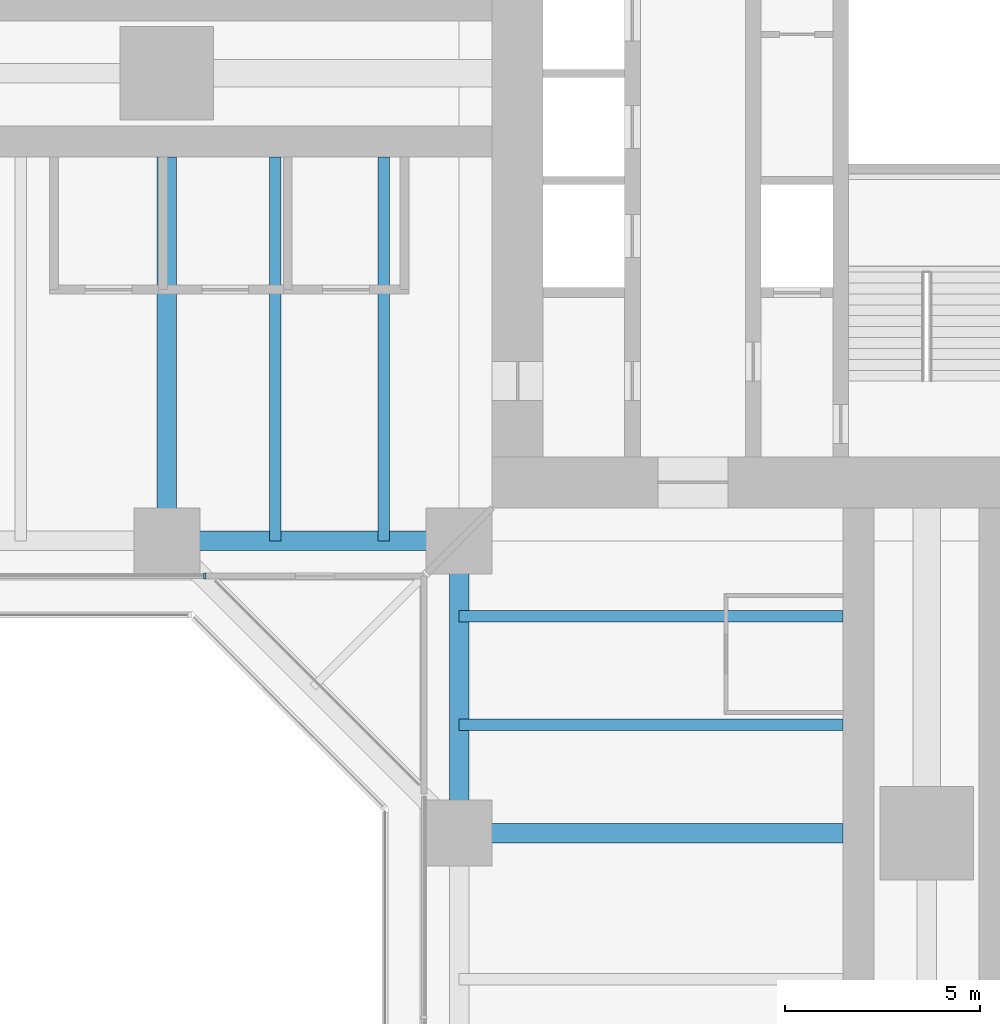
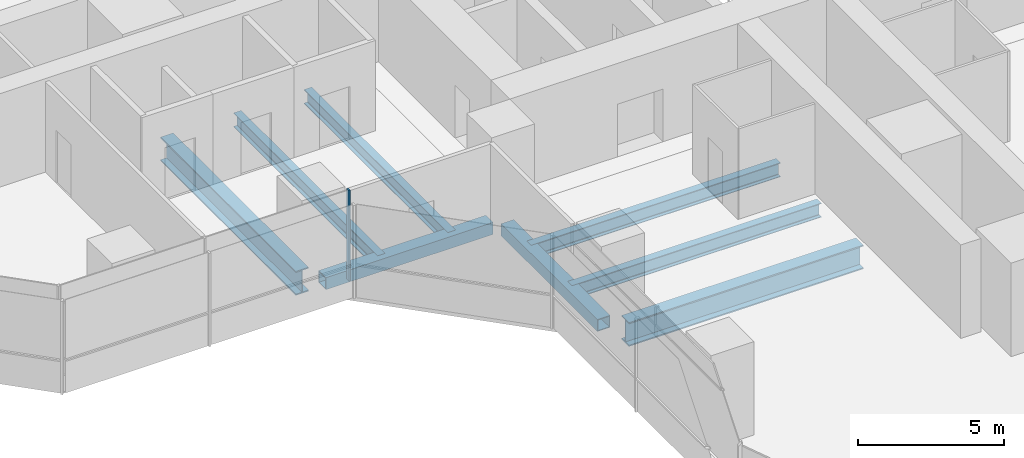
# One storey, part 4 of 22: 8 beams, 1 member, 1 element without a shape of its own.
"""IFC4 building model written with IfcOpenShell, lengths in metres."""

from ifc_helpers import new_model, si_unit, direction, frame, origin, origin_2d, place, context, subcontext, project, spatial, rectangle, hollow_rectangle, i_section, extrude, material, material_profile, profile_set, type_object, element, aggregate, save


model = new_model("IFC4")

# Units and contexts
model_context = context("Model", 3, precision=1e-05, world=origin(), true_north=direction((0.0, 1.0)))
body_context = subcontext(model_context, "Body", "Model", "MODEL_VIEW")
ifc_project = project(units=[si_unit("LENGTHUNIT", "METRE"), si_unit("AREAUNIT", "SQUARE_METRE"), si_unit("VOLUMEUNIT", "CUBIC_METRE"), si_unit("PLANEANGLEUNIT", "RADIAN"), si_unit("MASSUNIT", "GRAM", prefix="KILO")], contexts=[model_context])

# Site, building, storey
site_placement = place(None, origin())
site = spatial("IfcSite", under=ifc_project, at=site_placement, CompositionType="ELEMENT")
building_placement = place(site_placement, origin())
building = spatial("IfcBuilding", under=site, at=building_placement, Name="Mizan Broadcast Tower", CompositionType="ELEMENT")
storey_placement = place(building_placement, frame((0.0, 0.0, 47.39990234375)))
storey = spatial("IfcBuildingStorey", under=building, at=storey_placement, Name="L08", CompositionType="ELEMENT", Elevation=47.39990234375)

# Beams
ifc_material_1 = material(Name="Steel S355", Category="steel")
ifc_material_profile_1 = material_profile(ifc_material_1, hollow_rectangle(XDim=0.5, YDim=0.5, WallThickness=0.030029296875, at=origin_2d()), Name="BOX 500x500x30")
ifc_profile_set_1 = profile_set([ifc_material_profile_1], Name="Steel S355")
beam_type_1 = type_object("IfcBeamType", Name="EDGE BEAM BOX 500x500x30", PredefinedType="SPANDREL", material=ifc_profile_set_1)
for number, where, z_axis, x_axis, name in (
    (1, (-12.449951171875, -12.0, -0.3798828125), (-1.0, 0.0, 0.0), (0.0, -1.0, 0.0), "Edge beam BOX 500x500x30 L08 west arm"),
    (2, (-12.0, -12.449951171875, -0.3798828125), (0.0, -1.0, 0.0), (1.0, 0.0, 0.0), "Edge beam BOX 500x500x30 L08 south arm"),
):
    element("IfcBeam", number, at=place(storey_placement, frame(where, z_axis=z_axis, x_axis=x_axis)), inside=storey, type_object=beam_type_1, Name=name, PredefinedType="SPANDREL", context=body_context, shape_type="SweptSolid", body=[
        extrude(hollow_rectangle(XDim=0.5, YDim=0.5, WallThickness=0.030029296875, at=origin_2d()), origin(), (0.0, 0.0, 1.0), 6.60009765625),
    ])
ifc_material_2 = material(Name="Steel S460", Category="steel")
ifc_material_profile_2 = material_profile(ifc_material_2, i_section(OverallWidth=0.5, OverallDepth=1.0, WebThickness=0.02490234375, FlangeThickness=0.050048828125, at=origin_2d()), Name="WPG 1000x500")
ifc_profile_set_2 = profile_set([ifc_material_profile_2], Name="Steel S460")
beam_type_2 = type_object("IfcBeamType", Name="GIRDER WPG 1000x500", PredefinedType="BEAM", material=ifc_profile_set_2)
for number, where, z_axis, x_axis, name in (
    (3, (-19.5, -11.408935546875, -0.6298828125), (0.0, 1.0, 0.0), (-1.0, 0.0, 0.0), "Girder WPG 1000x500 L08 west arm"),
    (4, (-11.408935546875, -19.5, -0.6298828125), (1.0, 0.0, 0.0), (0.0, 1.0, 0.0), "Girder WPG 1000x500 L08 south arm"),
):
    element("IfcBeam", number, at=place(storey_placement, frame(where, z_axis=z_axis, x_axis=x_axis)), inside=storey, type_object=beam_type_2, Name=name, PredefinedType="BEAM", context=body_context, shape_type="SweptSolid", body=[
        extrude(i_section(OverallWidth=0.5, OverallDepth=1.0, WebThickness=0.02490234375, FlangeThickness=0.050048828125, at=origin_2d()), origin(), (0.0, 0.0, 1.0), 9.259033203125),
    ])

# Curtain wall, member
ifc_material_3 = material(Name="Aluminium framed glazing", Category="aluminium")
curtain_wall_type = type_object("IfcCurtainWallType", Name="INNER SKIN LOW ZONE", PredefinedType="USERDEFINED", material=ifc_material_3)
curtain_wall_placement = place(storey_placement, origin())
curtain_wall = element("IfcCurtainWall", 5, at=curtain_wall_placement, inside=storey, type_object=curtain_wall_type, Name="Inner skin low zone L08 W side", ObjectType="INNER SKIN LOW ZONE", PredefinedType="USERDEFINED")
ifc_material_4 = material(Name="Aluminium, pale anodised", Category="aluminium")
ifc_material_profile_3 = material_profile(ifc_material_4, rectangle(XDim=0.159912109375, YDim=0.06005859375, at=origin_2d()), Name="MULLION 160x60")
ifc_profile_set_3 = profile_set([ifc_material_profile_3], Name="Aluminium, pale anodised")
member_type = type_object("IfcMemberType", Name="INNER SKIN MULLION 60x160", PredefinedType="MULLION", material=ifc_profile_set_3)
member_placement = place(storey_placement, frame((-18.530029296875, -12.89990234375, 0.0), z_axis=(0.0, 0.0, 1.0), x_axis=(0.0, 1.0, 0.0)))
member = element("IfcMember", 6, at=member_placement, type_object=member_type, Name="Inner skin low zone L08 W side mullion 3", PredefinedType="MULLION", context=body_context, shape_type="SweptSolid", body=[
    extrude(rectangle(XDim=0.159912109375, YDim=0.06005859375, at=origin_2d()), origin(), (0.0, 0.0, 1.0), 3.77001953125),
])
aggregate(curtain_wall, [member])

# Beams
ifc_material_5 = material(Name="Steel S355", Category="steel")
ifc_material_profile_4 = material_profile(ifc_material_5, i_section(OverallWidth=0.300048828125, OverallDepth=0.590087890625, WebThickness=0.012939453125, FlangeThickness=0.02490234375, FilletRadius=0.027099609375, at=origin_2d()), Name="HEA 600")
ifc_profile_set_4 = profile_set([ifc_material_profile_4], Name="Steel S355")
beam_type_3 = type_object("IfcBeamType", Name="SECONDARY BEAM HEA 600", PredefinedType="JOIST", material=ifc_profile_set_4)
for number, where, z_axis, x_axis, name in (
    (7, (-13.933349609375, -12.0, -0.4248046875), (0.0, 1.0, 0.0), (-1.0, 0.0, 0.0), "Secondary beam HEA 600 L08 west arm"),
    (8, (-16.716552734375, -12.0, -0.4248046875), (0.0, 1.0, 0.0), (-1.0, 0.0, 0.0), "Secondary beam HEA 600 L08 west arm"),
    (9, (-12.0, -13.933349609375, -0.4248046875), (1.0, 0.0, 0.0), (0.0, 1.0, 0.0), "Secondary beam HEA 600 L08 south arm"),
    (10, (-12.0, -16.716552734375, -0.4248046875), (1.0, 0.0, 0.0), (0.0, 1.0, 0.0), "Secondary beam HEA 600 L08 south arm"),
):
    element("IfcBeam", number, at=place(storey_placement, frame(where, z_axis=z_axis, x_axis=x_axis)), inside=storey, type_object=beam_type_3, Name=name, PredefinedType="JOIST", context=body_context, shape_type="SweptSolid", body=[
        extrude(i_section(OverallWidth=0.300048828125, OverallDepth=0.590087890625, WebThickness=0.012939453125, FlangeThickness=0.02490234375, FilletRadius=0.027099609375, at=origin_2d()), origin(), (0.0, 0.0, 1.0), 9.85009765625),
    ])

save(model, "model.ifc")
